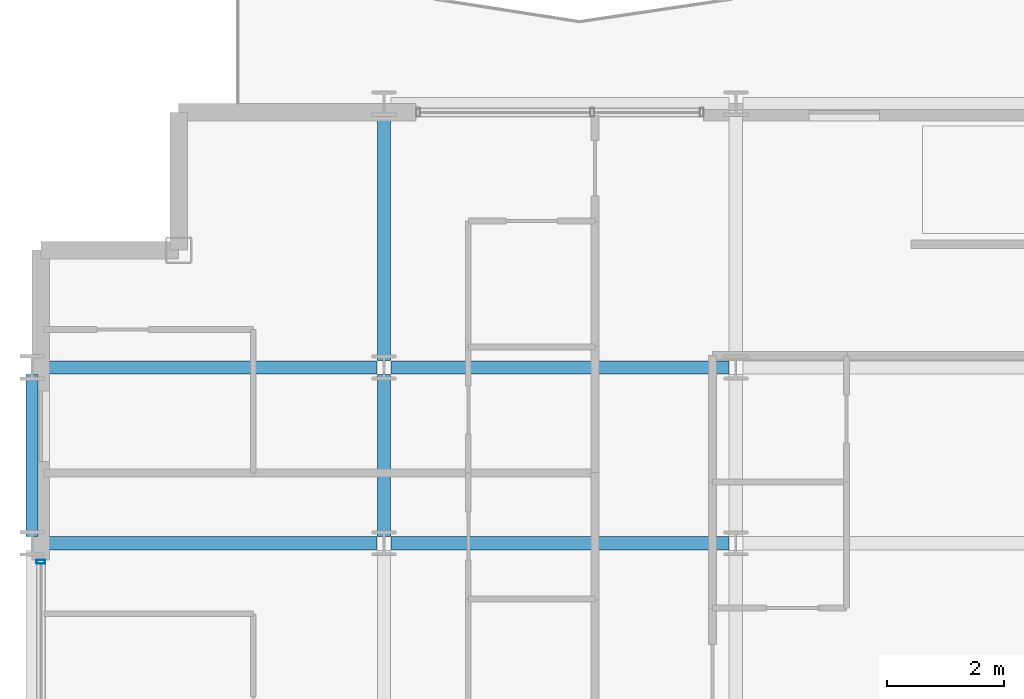
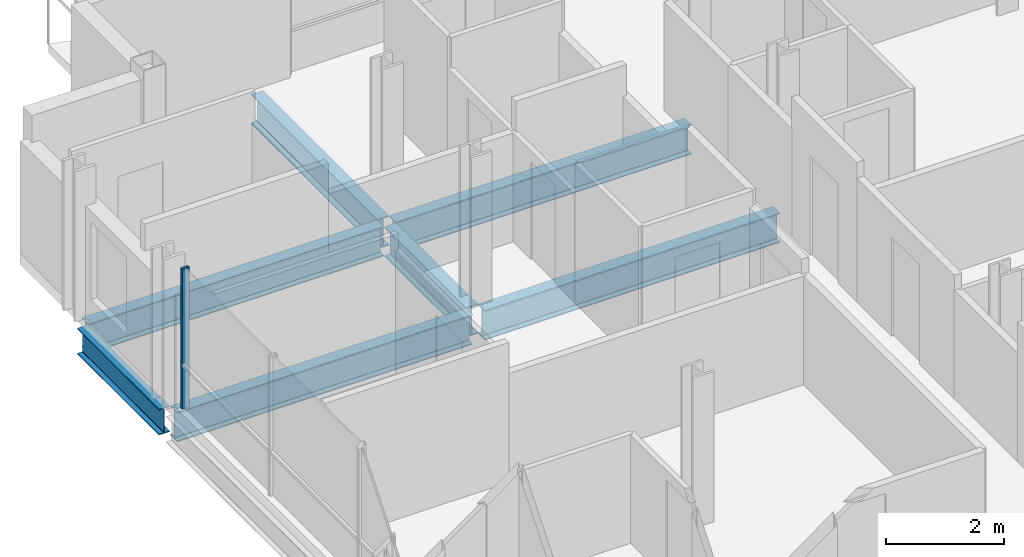
# One storey, part 7 of 41: 7 beams, 1 member, 1 element without a shape of its own.
"""IFC4 building model written with IfcOpenShell, lengths in metres."""

from ifc_helpers import new_model, si_unit, direction, frame, origin, origin_2d, place, context, subcontext, project, spatial, hollow_rectangle, i_section, extrude, material, layer, layer_set, material_profile, profile_set, type_object, element, aggregate, save


model = new_model("IFC4")

# Units and contexts
model_context = context("Model", 3, precision=1e-05, world=origin(), true_north=direction((0.0, 1.0)))
body_context = subcontext(model_context, "Body", "Model", "MODEL_VIEW")
ifc_project = project(units=[si_unit("LENGTHUNIT", "METRE"), si_unit("AREAUNIT", "SQUARE_METRE"), si_unit("VOLUMEUNIT", "CUBIC_METRE"), si_unit("PLANEANGLEUNIT", "RADIAN"), si_unit("MASSUNIT", "GRAM", prefix="KILO")], contexts=[model_context])

# Site, building, storey
site_placement = place(None, origin())
site = spatial("IfcSite", under=ifc_project, at=site_placement, CompositionType="ELEMENT")
building_placement = place(site_placement, origin())
building = spatial("IfcBuilding", under=site, at=building_placement, Name="Brevholm Reach", CompositionType="ELEMENT")
storey_placement = place(building_placement, frame((0.0, 0.0, 106.60009765625)))
storey = spatial("IfcBuildingStorey", under=building, at=storey_placement, Name="L31", CompositionType="ELEMENT", Elevation=106.60009765625)

# Beams
ifc_material_1 = material(Name="Structural Steel S355J2", Category="steel")
ifc_material_profile_1 = material_profile(ifc_material_1, i_section(OverallWidth=0.209228515625, OverallDepth=0.533203125, WebThickness=0.010009765625, FlangeThickness=0.015625, FilletRadius=0.0126953125, at=origin_2d()), Name="UKB 533x210x92")
ifc_profile_set_1 = profile_set([ifc_material_profile_1], Name="Structural Steel S355J2")
beam_type_1 = type_object("IfcBeamType", Name="BM-SP533", PredefinedType="SPANDREL", material=ifc_profile_set_1)
beam_1_placement = place(storey_placement, frame((0.0, 23.6201171875, -0.486572265625), z_axis=(0.0, 1.0, 0.0), x_axis=(-1.0, 0.0, 0.0)))
element("IfcBeam", 1, at=beam_1_placement, inside=storey, type_object=beam_type_1, Name="L31 SP-02 Framing Beam", PredefinedType="SPANDREL", context=body_context, shape_type="SweptSolid", body=[
    extrude(i_section(OverallWidth=0.209228515625, OverallDepth=0.533203125, WebThickness=0.010009765625, FlangeThickness=0.015625, FilletRadius=0.0126953125, at=origin_2d()), origin(), (0.0, 0.0, 1.0), 2.759765625),
])
ifc_material_2 = material(Name="Structural Steel S355J2", Category="steel")
ifc_material_profile_2 = material_profile(ifc_material_2, i_section(OverallWidth=0.22900390625, OverallDepth=0.6123046875, WebThickness=0.011962890625, FlangeThickness=0.01953125, FilletRadius=0.0126953125, at=origin_2d()), Name="UKB 610x229x125")
ifc_profile_set_2 = profile_set([ifc_material_profile_2], Name="Structural Steel S355J2")
beam_type_2 = type_object("IfcBeamType", Name="BM-SP610", PredefinedType="SPANDREL", material=ifc_profile_set_2)
for number, where, z_axis, x_axis, name in (
    (2, (0.1201171875, 23.5, -0.526123046875), (1.0, 0.0, 0.0), (0.0, 1.0, 0.0), "L31 SP-01 Framing Beam"),
    (3, (6.1201171875, 23.5, -0.526123046875), (1.0, 0.0, 0.0), (0.0, 1.0, 0.0), "L31 SP-01 Framing Beam"),
    (4, (0.1201171875, 26.5, -0.526123046875), (1.0, 0.0, 0.0), (0.0, 1.0, 0.0), "L31 SP-01 Framing Beam"),
    (5, (6.1201171875, 26.5, -0.526123046875), (1.0, 0.0, 0.0), (0.0, 1.0, 0.0), "L31 SP-01 Framing Beam"),
):
    element("IfcBeam", number, at=place(storey_placement, frame(where, z_axis=z_axis, x_axis=x_axis)), inside=storey, type_object=beam_type_2, Name=name, PredefinedType="SPANDREL", context=body_context, shape_type="SweptSolid", body=[
        extrude(i_section(OverallWidth=0.22900390625, OverallDepth=0.6123046875, WebThickness=0.011962890625, FlangeThickness=0.01953125, FilletRadius=0.0126953125, at=origin_2d()), origin(), (0.0, 0.0, 1.0), 5.759765625),
    ])
beam_2_placement = place(storey_placement, frame((6.0, 23.6201171875, -0.526123046875), z_axis=(0.0, 1.0, 0.0), x_axis=(-1.0, 0.0, 0.0)))
element("IfcBeam", 6, at=beam_2_placement, inside=storey, type_object=beam_type_2, Name="L31 SP-01 Framing Beam", PredefinedType="SPANDREL", context=body_context, shape_type="SweptSolid", body=[
    extrude(i_section(OverallWidth=0.22900390625, OverallDepth=0.6123046875, WebThickness=0.011962890625, FlangeThickness=0.01953125, FilletRadius=0.0126953125, at=origin_2d()), origin(), (0.0, 0.0, 1.0), 2.759765625),
])
beam_3_placement = place(storey_placement, frame((6.0, 26.6201171875, -0.526123046875), z_axis=(0.0, 1.0, 0.0), x_axis=(-1.0, 0.0, 0.0)))
element("IfcBeam", 7, at=beam_3_placement, inside=storey, type_object=beam_type_2, Name="L31 SP-01 Framing Beam", PredefinedType="SPANDREL", context=body_context, shape_type="SweptSolid", body=[
    extrude(i_section(OverallWidth=0.22900390625, OverallDepth=0.6123046875, WebThickness=0.011962890625, FlangeThickness=0.01953125, FilletRadius=0.0126953125, at=origin_2d()), origin(), (0.0, 0.0, 1.0), 4.259765625),
])

# Curtain wall, member
ifc_material_3 = material(Name="Dark Anodised Aluminium 6063-T6 and Solar-Control Glass", Category="aluminium")
ifc_layer = layer(ifc_material_3, 0.14990234375)
ifc_layer_set = layer_set([ifc_layer], Name="Dark Anodised Aluminium 6063-T6 and Solar-Control Glass")
curtain_wall_type = type_object("IfcCurtainWallType", Name="CW-01", PredefinedType="NOTDEFINED", material=ifc_layer_set)
curtain_wall_placement = place(storey_placement, origin())
curtain_wall = element("IfcCurtainWall", 8, at=curtain_wall_placement, inside=storey, type_object=curtain_wall_type, Name="L31 Curtain Wall CW-01", PredefinedType="NOTDEFINED")
ifc_material_4 = material(Name="Dark Anodised Aluminium 6063-T6", Category="aluminium")
ifc_material_profile_3 = material_profile(ifc_material_4, hollow_rectangle(XDim=0.06494140625, YDim=0.14990234375, WallThickness=0.0048828125, InnerFilletRadius=0.0048828125, OuterFilletRadius=0.010009765625, at=origin_2d()), Name="RHS 150x65x5")
ifc_profile_set_3 = profile_set([ifc_material_profile_3], Name="Dark Anodised Aluminium 6063-T6")
member_type = type_object("IfcMemberType", Name="CWM-150", PredefinedType="MULLION", material=ifc_profile_set_3)
member_placement = place(storey_placement, frame((0.14990234375, 23.1875, 0.0), z_axis=(0.0, 0.0, 1.0), x_axis=(0.0, -1.0, 0.0)))
member = element("IfcMember", 9, at=member_placement, type_object=member_type, Name="CM-150 Mullion 1", PredefinedType="MULLION", context=body_context, shape_type="SweptSolid", body=[
    extrude(hollow_rectangle(XDim=0.06494140625, YDim=0.14990234375, WallThickness=0.0048828125, InnerFilletRadius=0.0048828125, OuterFilletRadius=0.010009765625, at=origin_2d()), origin(), (0.0, 0.0, 1.0), 2.8798828125),
])
aggregate(curtain_wall, [member])

save(model, "model.ifc")
